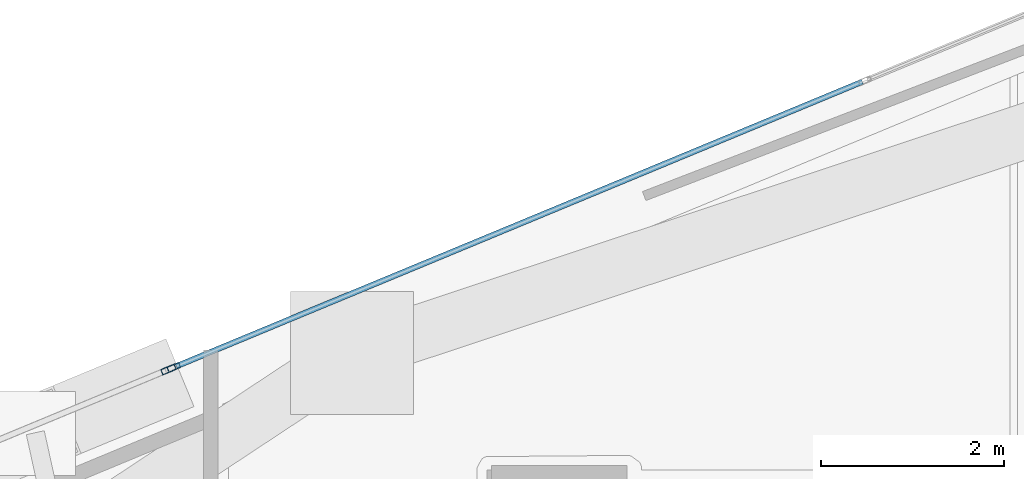
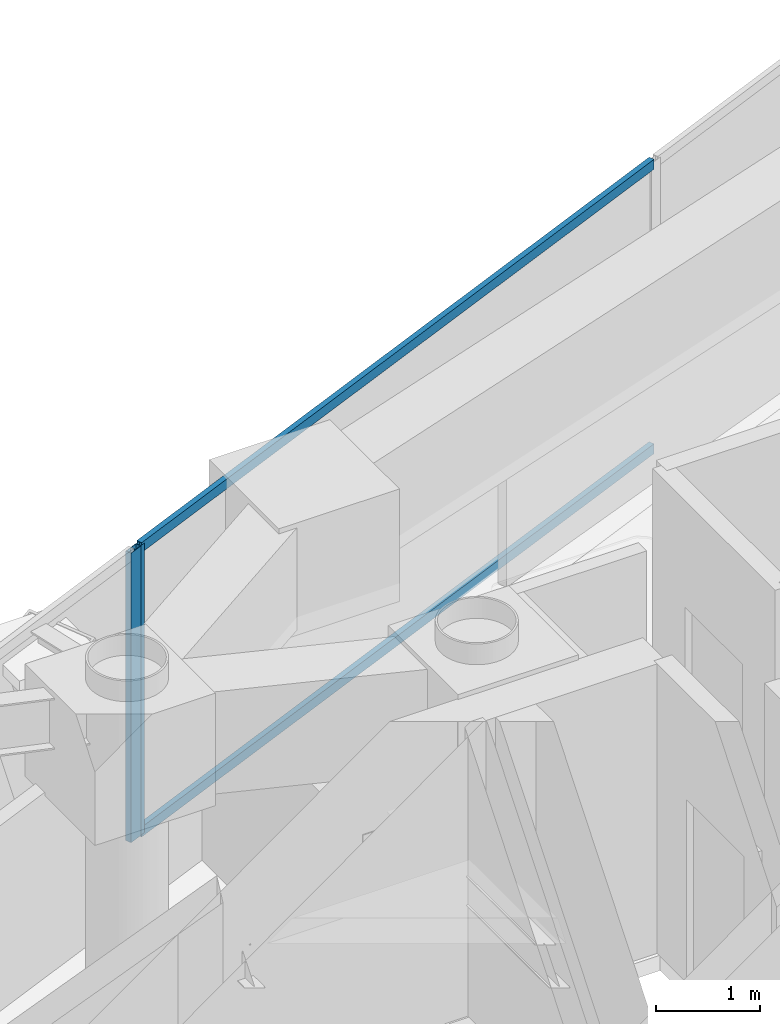
# One storey, part 10 of 18: 4 members, 2 elements without a shape of their own.
"""IFC4 building model written with IfcOpenShell, lengths in metres."""

from ifc_helpers import new_model, si_unit, direction, frame, origin, origin_2d, place, context, subcontext, project, spatial, hollow_rectangle, extrude, material, layer, layer_set, material_profile, profile_set, type_object, element, aggregate, save


model = new_model("IFC4")

# Units and contexts
model_context = context("Model", 3, precision=1e-05, world=origin(), true_north=direction((0.0, 1.0)))
body_context = subcontext(model_context, "Body", "Model", "MODEL_VIEW")
ifc_project = project(units=[si_unit("LENGTHUNIT", "METRE"), si_unit("AREAUNIT", "SQUARE_METRE"), si_unit("VOLUMEUNIT", "CUBIC_METRE"), si_unit("PLANEANGLEUNIT", "RADIAN"), si_unit("MASSUNIT", "GRAM", prefix="KILO")], contexts=[model_context])

# Site, building, storey
site_placement = place(None, origin())
site = spatial("IfcSite", under=ifc_project, at=site_placement, CompositionType="ELEMENT")
building_placement = place(site_placement, origin())
building = spatial("IfcBuilding", under=site, at=building_placement, Name="Qianvela Tower", CompositionType="ELEMENT")
storey_placement = place(building_placement, frame((0.0, 0.0, 348.10009765625)))
storey = spatial("IfcBuildingStorey", under=building, at=storey_placement, Name="L90", CompositionType="ELEMENT", Elevation=348.10009765625)

# Curtain wall, member
ifc_material_1 = material(Name="Anodised Architectural Aluminium and Insulated Spandrel Panel", Category="aluminium")
ifc_layer_1 = layer(ifc_material_1, 0.179931640625)
ifc_layer_set_1 = layer_set([ifc_layer_1], Name="Anodised Architectural Aluminium and Insulated Spandrel Panel")
curtain_wall_type_1 = type_object("IfcCurtainWallType", Name="CW-BRACEBAY", PredefinedType="USERDEFINED", material=ifc_layer_set_1)
curtain_wall_1_placement = place(storey_placement, origin())
curtain_wall_1 = element("IfcCurtainWall", 1, at=curtain_wall_1_placement, inside=storey, type_object=curtain_wall_type_1, Name="L90 CW-BRACEBAY Curtain Wall 02B", ObjectType="CURTAIN_WALL_SYSTEM", PredefinedType="USERDEFINED")
ifc_material_2 = material(Name="Anodised Architectural Aluminium 6063-T6", Category="aluminium")
ifc_material_profile_1 = material_profile(ifc_material_2, hollow_rectangle(XDim=0.06494140625, YDim=0.159912109375, WallThickness=0.0048828125, at=origin_2d()), Name="ALU-MULL-65x160")
ifc_profile_set_1 = profile_set([ifc_material_profile_1], Name="Anodised Architectural Aluminium 6063-T6")
member_type_1 = type_object("IfcMemberType", Name="CW-BRACEBAY-MULL", PredefinedType="MULLION", material=ifc_profile_set_1)
member_1_placement = place(storey_placement, frame((36.357177734375, 36.6162109375, 0.0), z_axis=(0.0, 0.0, 1.0), x_axis=(0.383132606476, -0.923693350552, 0.0)))
member_1 = element("IfcMember", 2, at=member_1_placement, type_object=member_type_1, Name="CW-9 mullion 1", PredefinedType="MULLION", context=body_context, shape_type="SweptSolid", body=[
    extrude(hollow_rectangle(XDim=0.06494140625, YDim=0.159912109375, WallThickness=0.0048828125, at=origin_2d()), origin(), (0.0, 0.0, 1.0), 3.39990234375),
])
aggregate(curtain_wall_1, [member_1])

# Curtain wall, members
ifc_material_3 = material(Name="Anodised Architectural Aluminium and Low-E Glass", Category="aluminium")
ifc_layer_2 = layer(ifc_material_3, 0.14990234375)
ifc_layer_set_2 = layer_set([ifc_layer_2], Name="Anodised Architectural Aluminium and Low-E Glass")
curtain_wall_type_2 = type_object("IfcCurtainWallType", Name="CW-COLIV-Z78", PredefinedType="USERDEFINED", material=ifc_layer_set_2)
curtain_wall_2_placement = place(storey_placement, origin())
curtain_wall_2 = element("IfcCurtainWall", 3, at=curtain_wall_2_placement, inside=storey, type_object=curtain_wall_type_2, Name="L90 CW-COLIV-Z78 Curtain Wall 02A", ObjectType="CURTAIN_WALL_SYSTEM", PredefinedType="USERDEFINED")
ifc_material_4 = material(Name="Anodised Architectural Aluminium 6063-T6", Category="aluminium")
ifc_material_profile_2 = material_profile(ifc_material_4, hollow_rectangle(XDim=0.06005859375, YDim=0.139892578125, WallThickness=0.00439453125, at=origin_2d()), Name="ALU-MULL-60x140")
ifc_profile_set_2 = profile_set([ifc_material_profile_2], Name="Anodised Architectural Aluminium 6063-T6")
member_type_2 = type_object("IfcMemberType", Name="CW-COLIV-Z78-MULL", PredefinedType="MULLION", material=ifc_profile_set_2)
member_2_placement = place(storey_placement, frame((36.414794921875, 36.64013671875, 0.0), z_axis=(0.0, 0.0, 1.0), x_axis=(0.383114126271, -0.923701015617, 0.0)))
member_2 = element("IfcMember", 4, at=member_2_placement, type_object=member_type_2, Name="CW-6 mullion 3", PredefinedType="MULLION", context=body_context, shape_type="SweptSolid", body=[
    extrude(hollow_rectangle(XDim=0.06005859375, YDim=0.139892578125, WallThickness=0.00439453125, at=origin_2d()), origin(), (0.0, 0.0, 1.0), 3.39990234375),
])
ifc_material_5 = material(Name="Anodised Architectural Aluminium 6063-T6", Category="aluminium")
ifc_material_profile_3 = material_profile(ifc_material_5, hollow_rectangle(XDim=0.06005859375, YDim=0.114990234375, WallThickness=0.00390625, at=origin_2d()), Name="ALU-TRAN-60x115")
ifc_profile_set_3 = profile_set([ifc_material_profile_3], Name="Anodised Architectural Aluminium 6063-T6")
member_type_3 = type_object("IfcMemberType", Name="CW-COLIV-Z78-TRAN", PredefinedType="USERDEFINED", material=ifc_profile_set_3)
member_3_placement = place(storey_placement, frame((43.924560546875, 39.7548828125, 0.02978515625), z_axis=(-0.923698150728, -0.383121033541, 0.0), x_axis=(0.383121033541, -0.923698150728, 0.0)))
member_3 = element("IfcMember", 5, at=member_3_placement, type_object=member_type_3, Name="CW-6 transom 2.1", ObjectType="TRANSOM", PredefinedType="USERDEFINED", context=body_context, shape_type="SweptSolid", body=[
    extrude(hollow_rectangle(XDim=0.06005859375, YDim=0.114990234375, WallThickness=0.00390625, at=origin_2d()), origin(), (0.0, 0.0, 1.0), 8.10009765625),
])
member_4_placement = place(storey_placement, frame((43.924560546875, 39.7548828125, 3.369873046875), z_axis=(-0.923698150728, -0.383121033541, 0.0), x_axis=(0.383121033541, -0.923698150728, 0.0)))
member_4 = element("IfcMember", 6, at=member_4_placement, type_object=member_type_3, Name="CW-6 transom 2.2", ObjectType="TRANSOM", PredefinedType="USERDEFINED", context=body_context, shape_type="SweptSolid", body=[
    extrude(hollow_rectangle(XDim=0.06005859375, YDim=0.114990234375, WallThickness=0.00390625, at=origin_2d()), origin(), (0.0, 0.0, 1.0), 8.10009765625),
])
aggregate(curtain_wall_2, [member_2, member_3, member_4])

save(model, "model.ifc")
